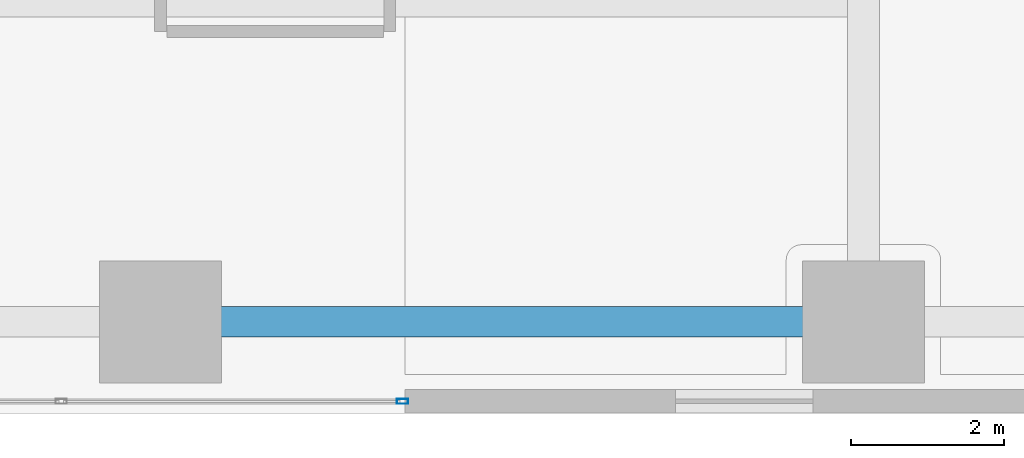
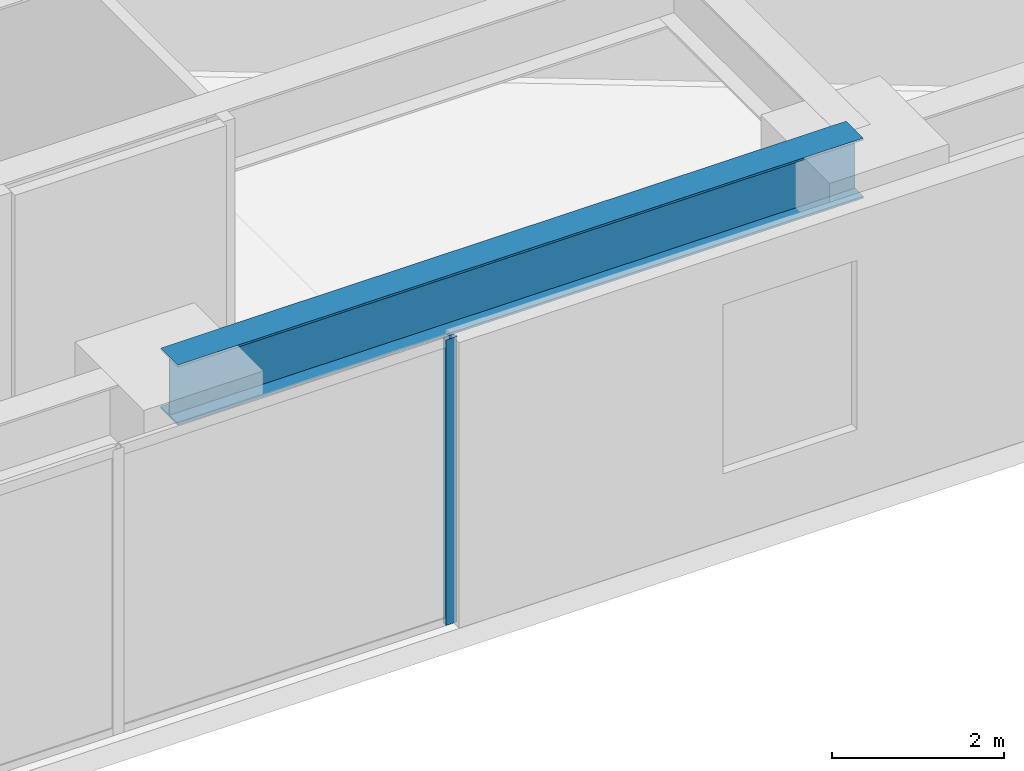
# One storey, part 6 of 25: 1 beam, 1 member, 1 element without a shape of its own.
"""IFC4 building model written with IfcOpenShell, lengths in metres."""

import ifcopenshell
import ifcopenshell.guid

model = None  # the IFC model being written
_history = None  # IfcOwnerHistory: only IFC2X3 demands one
_inside = {}  # id of a spatial element -> (the spatial element, [elements in it])
_under = {}  # id of a project, library or spatial element -> (it, [spatial elements below it])
_declared = {}  # id of a project -> (the project, [libraries it declares])
_typed = {}  # id of a type object -> (the type object, [elements of that type])
_made_of = {}  # id of a material, layer set ... -> (it, [elements and type objects made of it])


def new_model(schema):
    """Start an empty IFC model of exactly this schema.

    Asked for "IFC4X3", IfcOpenShell would pick the latest addendum, in which some entities
    have other attributes; the version numbers below select the first issue.
    IFC2X3 requires an IfcOwnerHistory on every rooted entity: one is made here for all.
    """
    global model, _history
    if schema == "IFC4X3":
        model = ifcopenshell.file(schema_version=(4, 3, 0, 0))
    else:
        model = ifcopenshell.file(schema=schema)
    _inside.clear()
    _under.clear()
    _declared.clear()
    _typed.clear()
    _made_of.clear()
    _history = None
    if model.schema == "IFC2X3":
        org = make("IfcOrganization", Name="unknown")
        user = make(
            "IfcPersonAndOrganization",
            ThePerson=make("IfcPerson", FamilyName="unknown"),
            TheOrganization=org,
        )
        app = make(
            "IfcApplication",
            ApplicationDeveloper=org,
            Version="unknown",
            ApplicationFullName="unknown",
            ApplicationIdentifier="unknown",
        )
        _history = make(
            "IfcOwnerHistory",
            OwningUser=user,
            OwningApplication=app,
            ChangeAction="ADDED",
            CreationDate=0,
        )
    return model


def make(cls, **values):
    """One entity of the class cls with the attributes given. An attribute that is None is left unset."""
    return model.create_entity(
        cls, **{name: value for name, value in values.items() if value is not None}
    )


def rooted(cls, **values):
    """An entity with a GlobalId (a new one), such as an element, a storey or a relation."""
    return make(cls, GlobalId=ifcopenshell.guid.new(), OwnerHistory=_history, **values)


def si_unit(unit_type, name, prefix=None):
    """IfcSIUnit, for example si_unit("LENGTHUNIT", "METRE", prefix="MILLI")."""
    return make("IfcSIUnit", UnitType=unit_type, Prefix=prefix, Name=name)


def assignment(units):
    """IfcUnitAssignment: the units of a project."""
    return None if units is None else make("IfcUnitAssignment", Units=units)


def point(xyz):
    """IfcCartesianPoint."""
    return None if xyz is None else make("IfcCartesianPoint", Coordinates=xyz)


def direction(xyz):
    """IfcDirection."""
    return None if xyz is None else make("IfcDirection", DirectionRatios=xyz)


def frame(location, z_axis=None, x_axis=None):
    """IfcAxis2Placement3D, a coordinate frame: its origin and axes. An axis left out is left unset."""
    return make(
        "IfcAxis2Placement3D",
        Location=point(location),
        Axis=direction(z_axis),
        RefDirection=direction(x_axis),
    )


def frame_2d(location, x_axis=None):
    """IfcAxis2Placement2D, a coordinate frame in the plane: its origin and x axis."""
    return make(
        "IfcAxis2Placement2D", Location=point(location), RefDirection=direction(x_axis)
    )


def origin():
    """The frame at (0, 0, 0) with its axes left unset."""
    return frame((0.0, 0.0, 0.0))


def origin_2d():
    """The frame at (0, 0) in the plane with its x axis left unset."""
    return frame_2d((0.0, 0.0))


def place(relative_to, where):
    """IfcLocalPlacement: puts the frame where relative to a parent placement (None: the world)."""
    return make(
        "IfcLocalPlacement", PlacementRelTo=relative_to, RelativePlacement=where
    )


def context(
    kind, dimensions, precision=None, world=None, true_north=None, identifier=None
):
    """IfcGeometricRepresentationContext, for example the 3D "Model" context."""
    return make(
        "IfcGeometricRepresentationContext",
        ContextIdentifier=identifier,
        ContextType=kind,
        CoordinateSpaceDimension=dimensions,
        Precision=precision,
        WorldCoordinateSystem=world,
        TrueNorth=true_north,
    )


def subcontext(parent, identifier, kind, view, scale=None):
    """IfcGeometricRepresentationSubContext, for example "Body" below "Model"."""
    return make(
        "IfcGeometricRepresentationSubContext",
        ContextIdentifier=identifier,
        ContextType=kind,
        ParentContext=parent,
        TargetScale=scale,
        TargetView=view,
    )


def project(units=None, contexts=None):
    """IfcProject with its units and contexts."""
    return rooted(
        "IfcProject",
        Name="project",
        RepresentationContexts=contexts,
        UnitsInContext=assignment(units),
    )


def spatial(cls, under=None, at=None, **own):
    """A site, building, storey or space (cls), placed at a placement, below another one or the project."""
    s = rooted(cls, ObjectPlacement=at, **own)
    if under is not None:
        _under.setdefault(under.id(), (under, []))[1].append(s)
    return s


def profile(cls, at=None, kind="AREA", **sizes):
    """A parametric profile (cls). Its sizes go by their IFC names, for example OverallWidth=200.0."""
    return make(cls, ProfileType=kind, Position=at, **sizes)


def hollow_rectangle(**sizes):
    """IfcRectangleHollowProfileDef."""
    return profile("IfcRectangleHollowProfileDef", **sizes)


def i_section(**sizes):
    """IfcIShapeProfileDef."""
    return profile("IfcIShapeProfileDef", **sizes)


def extrude(swept, where, along, depth):
    """IfcExtrudedAreaSolid: the profile swept, set in the frame where, extruded along a direction by depth."""
    return make(
        "IfcExtrudedAreaSolid",
        SweptArea=swept,
        Position=where,
        ExtrudedDirection=direction(along),
        Depth=depth,
    )


def shape(context_of_items, identifier, shape_type, items):
    """IfcShapeRepresentation: the items that make up one representation, for example the "Body"."""
    return make(
        "IfcShapeRepresentation",
        ContextOfItems=context_of_items,
        RepresentationIdentifier=identifier,
        RepresentationType=shape_type,
        Items=items,
    )


def source(mapping_origin, context_of_items, identifier, shape_type, items):
    """IfcRepresentationMap: a shape defined once, which mapped items show again and again."""
    return make(
        "IfcRepresentationMap",
        MappingOrigin=mapping_origin,
        MappedRepresentation=shape(context_of_items, identifier, shape_type, items),
    )


def transform(
    local_origin,
    x_axis=None,
    y_axis=None,
    z_axis=None,
    scale=None,
    scale2=None,
    scale3=None,
    uniform=True,
):
    """IfcCartesianTransformationOperator3D, or its non-uniform kind. x_axis, y_axis, z_axis: its Axis1, 2, 3."""
    if uniform:
        return make(
            "IfcCartesianTransformationOperator3D",
            Axis1=direction(x_axis),
            Axis2=direction(y_axis),
            LocalOrigin=point(local_origin),
            Scale=scale,
            Axis3=direction(z_axis),
        )
    return make(
        "IfcCartesianTransformationOperator3DnonUniform",
        Axis1=direction(x_axis),
        Axis2=direction(y_axis),
        LocalOrigin=point(local_origin),
        Scale=scale,
        Axis3=direction(z_axis),
        Scale2=scale2,
        Scale3=scale3,
    )


def mapped(mapping_source, mapping_target):
    """IfcMappedItem: shows the shape of a source again, moved by a transform."""
    return make(
        "IfcMappedItem", MappingSource=mapping_source, MappingTarget=mapping_target
    )


def material(Name=None, Category=None):
    """IfcMaterial."""
    return make("IfcMaterial", Name=Name, Category=Category)


def layer(
    of_material, thickness, ventilated=None, Name=None, Category=None, Priority=None
):
    """IfcMaterialLayer: one layer of a wall or slab, of a material (None: an air gap)."""
    return make(
        "IfcMaterialLayer",
        Material=of_material,
        LayerThickness=thickness,
        IsVentilated=ventilated,
        Name=Name,
        Category=Category,
        Priority=Priority,
    )


def layer_set(layers, Name=None):
    """IfcMaterialLayerSet."""
    return make("IfcMaterialLayerSet", MaterialLayers=layers, LayerSetName=Name)


def material_profile(
    of_material, cross_section, Name=None, Category=None, Priority=None
):
    """IfcMaterialProfile: a cross section and its material."""
    return make(
        "IfcMaterialProfile",
        Name=Name,
        Material=of_material,
        Profile=cross_section,
        Priority=Priority,
        Category=Category,
    )


def profile_set(profiles, Name=None, composite=None):
    """IfcMaterialProfileSet."""
    return make(
        "IfcMaterialProfileSet",
        Name=Name,
        MaterialProfiles=profiles,
        CompositeProfile=composite,
    )


def made_of(thing, what):
    """Note that an element or type object is made of a material, layer set ...; save() writes the relation."""
    if what is not None:
        _made_of.setdefault(what.id(), (what, []))[1].append(thing)
    return thing


def type_object(cls, material=None, **own):
    """A type object (cls), such as IfcWallType, which elements share."""
    return made_of(rooted(cls, **own), material)


def type_shapes(of_type, sources):
    """Give a type object the sources (RepresentationMaps) that its elements show as mapped items."""
    of_type.RepresentationMaps = sources


def element(
    cls,
    number,
    at=None,
    inside=None,
    cuts=None,
    type_object=None,
    material=None,
    context=None,
    identifier="Body",
    shape_type=None,
    held_by="IfcProductDefinitionShape",
    body=None,
    shapes=None,
    **own,
):
    """One element of the class cls, such as IfcWall. Its Tag is "e" and its number.

    at: its placement. inside: the storey or other place that contains it. cuts: it is an
    opening in that element (IfcRelVoidsElement). A single representation is given by context,
    identifier, shape_type and body (its items); several are given by shapes. held_by: the class
    of the entity that holds the representations. save() writes the other relations.
    """
    e = rooted(cls, Tag="e%d" % number, ObjectPlacement=at, **own)
    if body is not None:
        shapes = [shape(context, identifier, shape_type, body)]
    if shapes is not None:
        e.Representation = make(held_by, Representations=shapes)
    if inside is not None:
        _inside.setdefault(inside.id(), (inside, []))[1].append(e)
    if cuts is not None:
        rooted(
            "IfcRelVoidsElement", RelatingBuildingElement=cuts, RelatedOpeningElement=e
        )
    if type_object is not None:
        _typed.setdefault(type_object.id(), (type_object, []))[1].append(e)
    return made_of(e, material)


def aggregate(whole, parts):
    """IfcRelAggregates: a whole, such as a stair, and the parts it consists of."""
    return rooted("IfcRelAggregates", RelatingObject=whole, RelatedObjects=parts)


def save(model, path):
    """Write the relations noted so far, then the file.

    IfcRelAggregates (storeys below a building ...), IfcRelContainedInSpatialStructure (elements
    in a storey), IfcRelDefinesByType, IfcRelAssociatesMaterial and IfcRelDeclares: one each for
    every whole, place, type object, material and project.
    """
    for whole, parts in _under.values():
        aggregate(whole, parts)
    for where, things in _inside.values():
        rooted(
            "IfcRelContainedInSpatialStructure",
            RelatedElements=things,
            RelatingStructure=where,
        )
    for kind, things in _typed.values():
        rooted("IfcRelDefinesByType", RelatedObjects=things, RelatingType=kind)
    for what, things in _made_of.values():
        rooted("IfcRelAssociatesMaterial", RelatedObjects=things, RelatingMaterial=what)
    for by, libraries in _declared.values():
        rooted("IfcRelDeclares", RelatingContext=by, RelatedDefinitions=libraries)
    model.write(path)


model = new_model("IFC4")

# Units and contexts
model_context = context("Model", 3, precision=1e-05, world=origin(), true_north=direction((0.0, 1.0)))
body_context = subcontext(model_context, "Body", "Model", "MODEL_VIEW")
ifc_project = project(units=[si_unit("LENGTHUNIT", "METRE"), si_unit("AREAUNIT", "SQUARE_METRE"), si_unit("VOLUMEUNIT", "CUBIC_METRE"), si_unit("PLANEANGLEUNIT", "RADIAN"), si_unit("MASSUNIT", "GRAM", prefix="KILO")], contexts=[model_context])

# Site, building, storey
site_placement = place(None, origin())
site = spatial("IfcSite", under=ifc_project, at=site_placement, CompositionType="ELEMENT")
building_placement = place(site_placement, origin())
building = spatial("IfcBuilding", under=site, at=building_placement, Name="Talar Marvaseh", CompositionType="ELEMENT")
storey_placement = place(building_placement, frame((0.0, 0.0, 14.39990234375)))
storey = spatial("IfcBuildingStorey", under=building, at=storey_placement, Name="L03", CompositionType="ELEMENT", Elevation=14.39990234375)

# Beam
ifc_material_1 = material(Name="Steel S355", Category="steel")
ifc_material_profile_1 = material_profile(ifc_material_1, i_section(OverallWidth=0.39990234375, OverallDepth=0.85498046875, WebThickness=0.018310546875, FlangeThickness=0.029296875, at=origin_2d()), Name="W840x299")
ifc_profile_set_1 = profile_set([ifc_material_profile_1], Name="Steel S355")
beam_type = type_object("IfcBeamType", Name="Concourse Primary Girder W840x299", PredefinedType="BEAM", material=ifc_profile_set_1)
beam_placement = place(storey_placement, frame((32.800048828125, 9.199951171875, 3.822509765625), z_axis=(1.0, 0.0, 0.0), x_axis=(0.0, 1.0, 0.0)))
element("IfcBeam", 1, at=beam_placement, inside=storey, type_object=beam_type, Name="L03 Concourse Primary Girder W840x299", PredefinedType="BEAM", context=body_context, shape_type="SweptSolid", body=[
    extrude(i_section(OverallWidth=0.39990234375, OverallDepth=0.85498046875, WebThickness=0.018310546875, FlangeThickness=0.029296875, at=origin_2d()), origin(), (0.0, 0.0, 1.0), 9.199951171875),
])

# Curtain wall, member
ifc_material_2 = material(Name="Architectural Aluminium", Category="aluminium")
ifc_layer = layer(ifc_material_2, 0.25)
ifc_layer_set = layer_set([ifc_layer], Name="Architectural Aluminium")
curtain_wall_type = type_object("IfcCurtainWallType", Name="Station Podium Monumental Iwan Curtain Wall", PredefinedType="NOTDEFINED", material=ifc_layer_set)
curtain_wall_placement = place(storey_placement, origin())
curtain_wall = element("IfcCurtainWall", 2, at=curtain_wall_placement, inside=storey, type_object=curtain_wall_type, Name="L03 Station Podium Monumental Iwan Curtain Wall", PredefinedType="NOTDEFINED")
ifc_material_profile_2 = material_profile(ifc_material_2, hollow_rectangle(XDim=0.06494140625, YDim=0.14990234375, WallThickness=0.00390625, at=origin_2d()), Name="RHS150x65x4")
ifc_profile_set_2 = profile_set([ifc_material_profile_2], Name="Architectural Aluminium")
member_type = type_object("IfcMemberType", Name="Unitised Curtain Wall Slim Mullion RHS150x65x4", PredefinedType="MULLION", material=ifc_profile_set_2)
shared_shape = source(origin(), body_context, "Body", "SweptSolid", [
    extrude(hollow_rectangle(XDim=0.06494140625, YDim=0.14990234375, WallThickness=0.00390625, at=origin_2d()), origin(), (0.0, 0.0, 1.0), 4.050048828125),
])
type_shapes(member_type, [shared_shape])
member_placement = place(storey_placement, frame((35.967529296875, 8.159912109375, 0.0), z_axis=(0.0, 0.0, 1.0), x_axis=(0.0, -1.0, 0.0)))
member = element("IfcMember", 3, at=member_placement, type_object=member_type, Name="CW-POD mullion 1", PredefinedType="MULLION", context=body_context, shape_type="MappedRepresentation", body=[
    mapped(shared_shape, transform((0.0, 0.0, 0.0), x_axis=(1.0, 0.0, 0.0), y_axis=(0.0, 1.0, 0.0), z_axis=(0.0, 0.0, 1.0), scale=1.0)),
])
aggregate(curtain_wall, [member])

save(model, "model.ifc")
